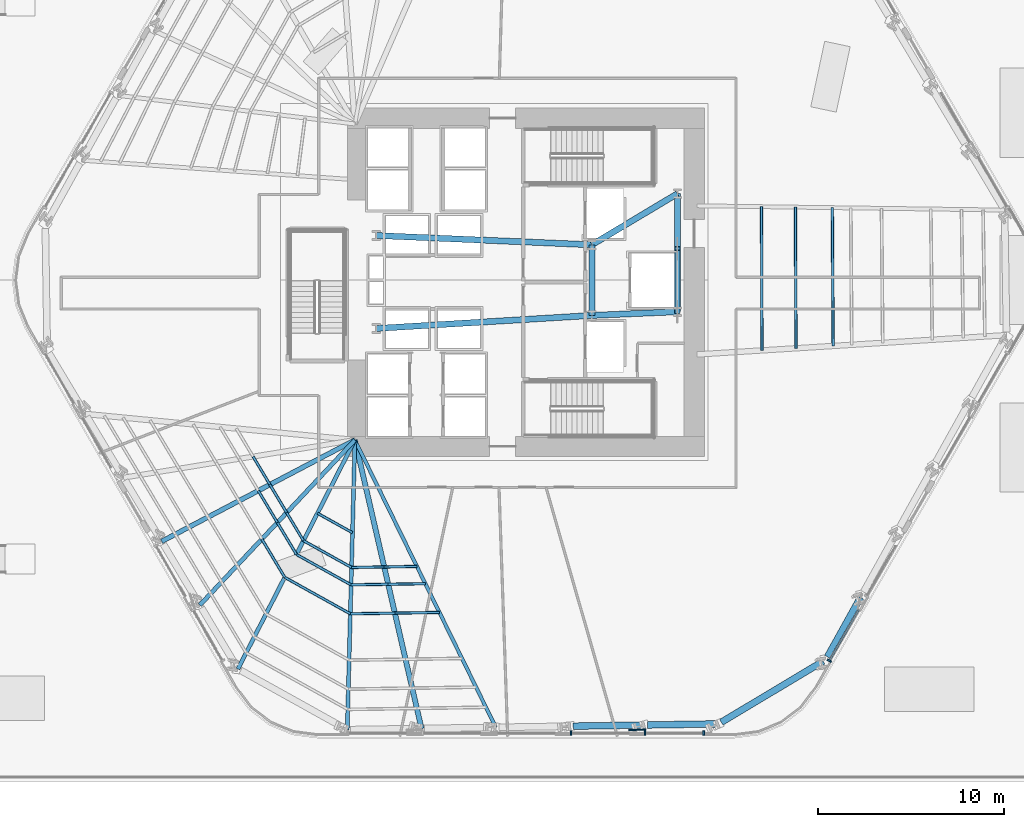
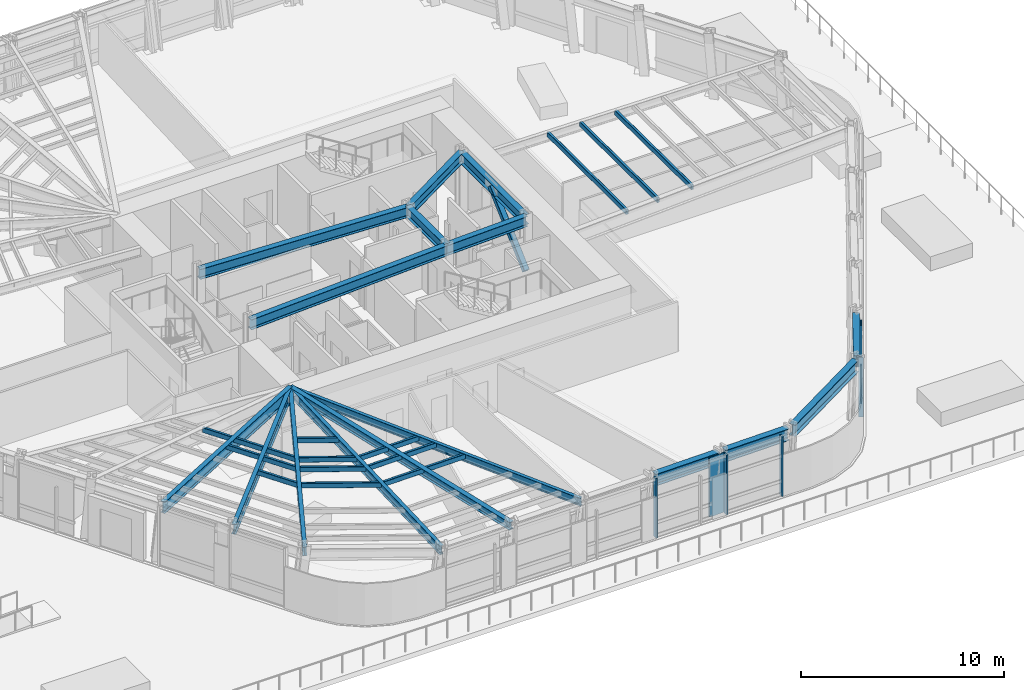
# One storey, part 3 of 18: 27 members, 16 beams, 2 elements without a shape of their own.
"""IFC4 building model written with IfcOpenShell, lengths in metres."""

from ifc_helpers import new_model, si_unit, direction, frame, origin, origin_2d, place, context, subcontext, project, spatial, rectangle, hollow_rectangle, i_section, extrude, material, layer, layer_set, material_profile, profile_set, type_object, element, aggregate, save


model = new_model("IFC4")

# Units and contexts
model_context = context("Model", 3, precision=1e-05, world=origin(), true_north=direction((0.0, 1.0)))
body_context = subcontext(model_context, "Body", "Model", "MODEL_VIEW")
ifc_project = project(units=[si_unit("LENGTHUNIT", "METRE"), si_unit("AREAUNIT", "SQUARE_METRE"), si_unit("VOLUMEUNIT", "CUBIC_METRE"), si_unit("PLANEANGLEUNIT", "RADIAN"), si_unit("MASSUNIT", "GRAM", prefix="KILO")], contexts=[model_context])

# Site, building, storey
site_placement = place(None, origin())
site = spatial("IfcSite", under=ifc_project, at=site_placement, CompositionType="ELEMENT")
building_placement = place(site_placement, origin())
building = spatial("IfcBuilding", under=site, at=building_placement, Name="Valkerne Bourse Tower", CompositionType="ELEMENT")
storey_placement = place(building_placement, frame((0.0, 0.0, 24.0)))
storey = spatial("IfcBuildingStorey", under=building, at=storey_placement, Name="L05", CompositionType="ELEMENT", Elevation=24.0)

# Beams
ifc_material_1 = material(Name="Steel ASTM A992", Category="steel")
ifc_material_profile_1 = material_profile(ifc_material_1, i_section(OverallWidth=0.1904296875, OverallDepth=0.457275390625, WebThickness=0.009033203125, FlangeThickness=0.014404296875, FilletRadius=0.01513671875, at=origin_2d()), Name="W18X50")
ifc_profile_set_1 = profile_set([ifc_material_profile_1], Name="Steel ASTM A992")
beam_type_1 = type_object("IfcBeamType", Name="BM-W18X50", PredefinedType="JOIST", material=ifc_profile_set_1)
beam_1_placement = place(storey_placement, frame((45.1796875, 2.939453125, 3.351318359375), z_axis=(-0.44020115117, 0.897899185047, 0.0), x_axis=(-0.897899185047, -0.44020115117, 0.0)))
element("IfcBeam", 1, at=beam_1_placement, inside=storey, type_object=beam_type_1, Name="L05 Radial Composite Floor Beam 26", PredefinedType="JOIST", context=body_context, shape_type="SweptSolid", body=[
    extrude(i_section(OverallWidth=0.1904296875, OverallDepth=0.457275390625, WebThickness=0.009033203125, FlangeThickness=0.014404296875, FilletRadius=0.01513671875, at=origin_2d()), origin(), (0.0, 0.0, 1.0), 17.218505859375),
])
ifc_material_profile_2 = material_profile(ifc_material_1, i_section(OverallWidth=0.279296875, OverallDepth=0.46240234375, WebThickness=0.0107421875, FlangeThickness=0.017333984375, FilletRadius=0.017822265625, at=origin_2d()), Name="W18X76")
ifc_profile_set_2 = profile_set([ifc_material_profile_2], Name="Steel ASTM A992")
beam_type_2 = type_object("IfcBeamType", Name="BM-W18X76", PredefinedType="BEAM", material=ifc_profile_set_2)
beam_2_placement = place(storey_placement, frame((41.18408203125, 2.876708984375, 3.348876953125), z_axis=(-0.224961352086, 0.974367687307, 0.0), x_axis=(-0.974367687307, -0.224961352086, 0.0)))
element("IfcBeam", 2, at=beam_2_placement, inside=storey, type_object=beam_type_2, Name="L05 Radial Composite Floor Beam 25", PredefinedType="BEAM", context=body_context, shape_type="SweptSolid", body=[
    extrude(i_section(OverallWidth=0.279296875, OverallDepth=0.46240234375, WebThickness=0.0107421875, FlangeThickness=0.017333984375, FilletRadius=0.017822265625, at=origin_2d()), origin(), (0.0, 0.0, 1.0), 15.931640625),
])
ifc_material_profile_3 = material_profile(ifc_material_1, i_section(OverallWidth=0.209228515625, OverallDepth=0.533447265625, WebThickness=0.01025390625, FlangeThickness=0.015625, FilletRadius=0.017822265625, at=origin_2d()), Name="W21X62")
ifc_profile_set_3 = profile_set([ifc_material_profile_3], Name="Steel ASTM A992")
beam_type_3 = type_object("IfcBeamType", Name="BM-W21X62", PredefinedType="JOIST", material=ifc_profile_set_3)
beam_3_placement = place(storey_placement, frame((37.188720703125, 2.813720703125, 3.313232421875), z_axis=(0.026384508357, 0.999651868262, 0.0), x_axis=(-0.999651868262, 0.026384508357, 0.0)))
element("IfcBeam", 3, at=beam_3_placement, inside=storey, type_object=beam_type_3, Name="L05 Radial Composite Floor Beam 24", PredefinedType="JOIST", context=body_context, shape_type="SweptSolid", body=[
    extrude(i_section(OverallWidth=0.209228515625, OverallDepth=0.533447265625, WebThickness=0.01025390625, FlangeThickness=0.015625, FilletRadius=0.017822265625, at=origin_2d()), origin(), (0.0, 0.0, 1.0), 15.591552734375),
])
ifc_material_profile_4 = material_profile(ifc_material_1, i_section(OverallWidth=0.2138671875, OverallDepth=0.548583984375, WebThickness=0.0146484375, FlangeThickness=0.023681640625, FilletRadius=0.017822265625, at=origin_2d()), Name="W21X93")
ifc_profile_set_4 = profile_set([ifc_material_profile_4], Name="Steel ASTM A992")
beam_type_4 = type_object("IfcBeamType", Name="BM-W21X93", PredefinedType="BEAM", material=ifc_profile_set_4)
beam_4_placement = place(storey_placement, frame((31.30908203125, 6.08642578125, 3.3056640625), z_axis=(0.454965462483, 0.890509083585, 0.0), x_axis=(-0.890509083585, 0.454965462483, 0.0)))
element("IfcBeam", 4, at=beam_4_placement, inside=storey, type_object=beam_type_4, Name="L05 Radial Composite Floor Beam 23", PredefinedType="BEAM", context=body_context, shape_type="SweptSolid", body=[
    extrude(i_section(OverallWidth=0.2138671875, OverallDepth=0.548583984375, WebThickness=0.0146484375, FlangeThickness=0.023681640625, FilletRadius=0.017822265625, at=origin_2d()), origin(), (0.0, 0.0, 1.0), 13.827392578125),
])
ifc_material_profile_5 = material_profile(ifc_material_1, i_section(OverallWidth=0.3251953125, OverallDepth=0.612060546875, WebThickness=0.0126953125, FlangeThickness=0.01904296875, FilletRadius=0.020263671875, at=origin_2d()), Name="W24X104")
ifc_profile_set_5 = profile_set([ifc_material_profile_5], Name="Steel ASTM A992")
beam_type_5 = type_object("IfcBeamType", Name="BM-W24X104", PredefinedType="BEAM", material=ifc_profile_set_5)
beam_5_placement = place(storey_placement, frame((50.35009765625, 25.10009765625, 3.27392578125), z_axis=(0.0, 1.0, 0.0), x_axis=(-1.0, 0.0, 0.0)))
element("IfcBeam", 5, at=beam_5_placement, inside=storey, type_object=beam_type_5, Name="L05 Core Frame Girder CG-CE", PredefinedType="BEAM", context=body_context, shape_type="SweptSolid", body=[
    extrude(i_section(OverallWidth=0.3251953125, OverallDepth=0.612060546875, WebThickness=0.0126953125, FlangeThickness=0.01904296875, FilletRadius=0.020263671875, at=origin_2d()), origin(), (0.0, 0.0, 1.0), 3.7998046875),
])
beam_6_placement = place(storey_placement, frame((50.35009765625, 25.10009765625, 3.27392578125), z_axis=(0.999056558506, 0.043428019819, 0.0), x_axis=(-0.043428019819, 0.999056558506, 0.0)))
element("IfcBeam", 6, at=beam_6_placement, inside=storey, type_object=beam_type_5, Name="L05 Core Frame Girder CG-SE", PredefinedType="BEAM", context=body_context, shape_type="SweptSolid", body=[
    extrude(i_section(OverallWidth=0.3251953125, OverallDepth=0.612060546875, WebThickness=0.0126953125, FlangeThickness=0.01904296875, FilletRadius=0.020263671875, at=origin_2d()), origin(), (0.0, 0.0, 1.0), 4.604248046875),
])
beam_7_placement = place(storey_placement, frame((50.35009765625, 28.89990234375, 3.27392578125), z_axis=(0.858307823492, 0.513135148019, 0.0), x_axis=(-0.513135148019, 0.858307823492, 0.0)))
element("IfcBeam", 7, at=beam_7_placement, inside=storey, type_object=beam_type_5, Name="L05 Core Frame Girder CG-NE", PredefinedType="BEAM", context=body_context, shape_type="SweptSolid", body=[
    extrude(i_section(OverallWidth=0.3251953125, OverallDepth=0.612060546875, WebThickness=0.0126953125, FlangeThickness=0.01904296875, FilletRadius=0.020263671875, at=origin_2d()), origin(), (0.0, 0.0, 1.0), 5.359130859375),
])
beam_8_placement = place(storey_placement, frame((54.949951171875, 25.300048828125, 3.27392578125), z_axis=(0.0, 1.0, 0.0), x_axis=(-1.0, 0.0, 0.0)))
element("IfcBeam", 8, at=beam_8_placement, inside=storey, type_object=beam_type_5, Name="L05 Core Frame Girder CG-EE", PredefinedType="BEAM", context=body_context, shape_type="SweptSolid", body=[
    extrude(i_section(OverallWidth=0.3251953125, OverallDepth=0.612060546875, WebThickness=0.0126953125, FlangeThickness=0.01904296875, FilletRadius=0.020263671875, at=origin_2d()), origin(), (0.0, 0.0, 1.0), 6.349853515625),
])
beam_9_placement = place(storey_placement, frame((38.75, 24.39990234375, 3.27392578125), z_axis=(0.998183228389, 0.060251494276, 0.0), x_axis=(-0.060251494276, 0.998183228389, 0.0)))
element("IfcBeam", 9, at=beam_9_placement, inside=storey, type_object=beam_type_5, Name="L05 Core Frame Girder CG-SW", PredefinedType="BEAM", context=body_context, shape_type="SweptSolid", body=[
    extrude(i_section(OverallWidth=0.3251953125, OverallDepth=0.612060546875, WebThickness=0.0126953125, FlangeThickness=0.01904296875, FilletRadius=0.020263671875, at=origin_2d()), origin(), (0.0, 0.0, 1.0), 11.62109375),
])
beam_10_placement = place(storey_placement, frame((38.75, 29.39990234375, 3.27392578125), z_axis=(0.999072354402, -0.043063101019, 0.0), x_axis=(0.043063101019, 0.999072354402, 0.0)))
element("IfcBeam", 10, at=beam_10_placement, inside=storey, type_object=beam_type_5, Name="L05 Core Frame Girder CG-NW", PredefinedType="BEAM", context=body_context, shape_type="SweptSolid", body=[
    extrude(i_section(OverallWidth=0.3251953125, OverallDepth=0.612060546875, WebThickness=0.0126953125, FlangeThickness=0.01904296875, FilletRadius=0.020263671875, at=origin_2d()), origin(), (0.0, 0.0, 1.0), 11.61083984375),
])
ifc_material_profile_6 = material_profile(ifc_material_1, i_section(OverallWidth=0.228271484375, OverallDepth=0.607177734375, WebThickness=0.01123046875, FlangeThickness=0.017333984375, FilletRadius=0.017822265625, at=origin_2d()), Name="W24X76")
ifc_profile_set_6 = profile_set([ifc_material_profile_6], Name="Steel ASTM A992")
beam_type_6 = type_object("IfcBeamType", Name="BM-W24X76", PredefinedType="JOIST", material=ifc_profile_set_6)
beam_11_placement = place(storey_placement, frame((29.257080078125, 9.51513671875, 3.2763671875), z_axis=(0.684532600294, 0.728982248848, 0.0), x_axis=(-0.728982248848, 0.684532600294, 0.0)))
element("IfcBeam", 11, at=beam_11_placement, inside=storey, type_object=beam_type_6, Name="L05 Radial Composite Floor Beam 22", PredefinedType="JOIST", context=body_context, shape_type="SweptSolid", body=[
    extrude(i_section(OverallWidth=0.228271484375, OverallDepth=0.607177734375, WebThickness=0.01123046875, FlangeThickness=0.017333984375, FilletRadius=0.017822265625, at=origin_2d()), origin(), (0.0, 0.0, 1.0), 12.18798828125),
])
ifc_material_profile_7 = material_profile(ifc_material_1, i_section(OverallWidth=0.255859375, OverallDepth=0.693359375, WebThickness=0.014404296875, FlangeThickness=0.023681640625, FilletRadius=0.02294921875, at=origin_2d()), Name="W27X114")
ifc_profile_set_7 = profile_set([ifc_material_profile_7], Name="Steel ASTM A992")
beam_type_7 = type_object("IfcBeamType", Name="BM-W27X114", PredefinedType="BEAM", material=ifc_profile_set_7)
beam_12_placement = place(storey_placement, frame((27.204833984375, 12.944091796875, 3.2333984375), z_axis=(0.885457592577, 0.464720186508, 0.0), x_axis=(-0.464720186508, 0.885457592577, 0.0)))
element("IfcBeam", 12, at=beam_12_placement, inside=storey, type_object=beam_type_7, Name="L05 Radial Composite Floor Beam 21", PredefinedType="BEAM", context=body_context, shape_type="SweptSolid", body=[
    extrude(i_section(OverallWidth=0.255859375, OverallDepth=0.693359375, WebThickness=0.014404296875, FlangeThickness=0.023681640625, FilletRadius=0.02294921875, at=origin_2d()), origin(), (0.0, 0.0, 1.0), 11.739990234375),
])
ifc_material_profile_8 = material_profile(ifc_material_1, i_section(OverallWidth=0.358154296875, OverallDepth=0.7060546875, WebThickness=0.018310546875, FlangeThickness=0.0302734375, FilletRadius=0.02294921875, at=origin_2d()), Name="W27X178")
ifc_profile_set_8 = profile_set([ifc_material_profile_8], Name="Steel ASTM A992")
beam_type_8 = type_object("IfcBeamType", Name="BM-W27X178", PredefinedType="SPANDREL", material=ifc_profile_set_8)
beam_13_placement = place(storey_placement, frame((49.34521484375, 3.0048828125, 3.226806640625), z_axis=(0.999876857532, 0.015692984807, 0.0), x_axis=(-0.015692984807, 0.999876857532, 0.0)))
element("IfcBeam", 13, at=beam_13_placement, inside=storey, type_object=beam_type_8, Name="L05 Hexagonal Spandrel Ring Beam 27", PredefinedType="SPANDREL", context=body_context, shape_type="SweptSolid", body=[
    extrude(i_section(OverallWidth=0.358154296875, OverallDepth=0.7060546875, WebThickness=0.018310546875, FlangeThickness=0.0302734375, FilletRadius=0.02294921875, at=origin_2d()), origin(), (0.0, 0.0, 1.0), 3.656005859375),
])
beam_14_placement = place(storey_placement, frame((53.3408203125, 3.067626953125, 3.226806640625), z_axis=(0.999876841085, 0.015694032705, 0.0), x_axis=(-0.015694032705, 0.999876841085, 0.0)))
element("IfcBeam", 14, at=beam_14_placement, inside=storey, type_object=beam_type_8, Name="L05 Hexagonal Spandrel Ring Beam 28", PredefinedType="SPANDREL", context=body_context, shape_type="SweptSolid", body=[
    extrude(i_section(OverallWidth=0.358154296875, OverallDepth=0.7060546875, WebThickness=0.018310546875, FlangeThickness=0.0302734375, FilletRadius=0.02294921875, at=origin_2d()), origin(), (0.0, 0.0, 1.0), 3.65576171875),
])
beam_15_placement = place(storey_placement, frame((57.31201171875, 3.215087890625, 3.226806640625), z_axis=(0.858065583665, 0.513540119299, 0.0), x_axis=(-0.513540119299, 0.858065583665, 0.0)))
element("IfcBeam", 15, at=beam_15_placement, inside=storey, type_object=beam_type_8, Name="L05 Hexagonal Spandrel Ring Beam 29", PredefinedType="SPANDREL", context=body_context, shape_type="SweptSolid", body=[
    extrude(i_section(OverallWidth=0.358154296875, OverallDepth=0.7060546875, WebThickness=0.018310546875, FlangeThickness=0.0302734375, FilletRadius=0.02294921875, at=origin_2d()), origin(), (0.0, 0.0, 1.0), 6.388916015625),
])
beam_16_placement = place(storey_placement, frame((63.02294921875, 6.731689453125, 3.226806640625), z_axis=(0.486255125656, 0.873816887439, 0.0), x_axis=(-0.873816887439, 0.486255125656, 0.0)))
element("IfcBeam", 16, at=beam_16_placement, inside=storey, type_object=beam_type_8, Name="L05 Hexagonal Spandrel Ring Beam 30", PredefinedType="SPANDREL", context=body_context, shape_type="SweptSolid", body=[
    extrude(i_section(OverallWidth=0.358154296875, OverallDepth=0.7060546875, WebThickness=0.018310546875, FlangeThickness=0.0302734375, FilletRadius=0.02294921875, at=origin_2d()), origin(), (0.0, 0.0, 1.0), 3.65625),
])

# Curtain wall, members
ifc_material_2 = material(Name="Aluminium AA 6063-T6", Category="aluminium")
ifc_layer = layer(ifc_material_2, 0.22509765625)
ifc_layer_set = layer_set([ifc_layer], Name="Aluminium AA 6063-T6")
curtain_wall_type = type_object("IfcCurtainWallType", Name="CW-01", PredefinedType="NOTDEFINED", material=ifc_layer_set)
curtain_wall_1_placement = place(storey_placement, origin())
curtain_wall_1 = element("IfcCurtainWall", 17, at=curtain_wall_1_placement, inside=storey, type_object=curtain_wall_type, Name="L05 Hexagonal Stick Curtain Wall Face 5", PredefinedType="NOTDEFINED")
ifc_material_profile_9 = material_profile(ifc_material_2, rectangle(XDim=0.090087890625, YDim=0.239990234375, at=origin_2d()), Name="CWM-90X240")
ifc_profile_set_9 = profile_set([ifc_material_profile_9], Name="Aluminium AA 6063-T6")
member_type_1 = type_object("IfcMemberType", Name="CW-MUL-240X90", PredefinedType="MULLION", material=ifc_profile_set_9)
member_1_placement = place(storey_placement, frame((49.218017578125, 2.627685546875, 0.0), z_axis=(0.0, 0.0, 1.0), x_axis=(1.0, 0.0, 0.0)))
member_1 = element("IfcMember", 18, at=member_1_placement, type_object=member_type_1, Name="CW-L05-F5 Jamb Mullion 03A", PredefinedType="MULLION", context=body_context, shape_type="SweptSolid", body=[
    extrude(rectangle(XDim=0.090087890625, YDim=0.239990234375, at=origin_2d()), origin(), (0.0, 0.0, 1.0), 3.580078125),
])
member_2_placement = place(storey_placement, frame((53.214111328125, 2.627685546875, 0.0), z_axis=(0.0, 0.0, 1.0), x_axis=(1.0, 0.0, 0.0)))
member_2 = element("IfcMember", 19, at=member_2_placement, type_object=member_type_1, Name="CW-L05-F5 Jamb Mullion 04A", PredefinedType="MULLION", context=body_context, shape_type="SweptSolid", body=[
    extrude(rectangle(XDim=0.090087890625, YDim=0.239990234375, at=origin_2d()), origin(), (0.0, 0.0, 1.0), 3.580078125),
])
member_3_placement = place(storey_placement, frame((56.3701171875, 2.627685546875, 0.0), z_axis=(0.0, 0.0, 1.0), x_axis=(1.0, 0.0, 0.0)))
member_3 = element("IfcMember", 20, at=member_3_placement, type_object=member_type_1, Name="CW-L05-F5 Jamb Mullion 04B", PredefinedType="MULLION", context=body_context, shape_type="SweptSolid", body=[
    extrude(rectangle(XDim=0.090087890625, YDim=0.239990234375, at=origin_2d()), origin(), (0.0, 0.0, 1.0), 3.580078125),
])
aggregate(curtain_wall_1, [member_1, member_2, member_3])

curtain_wall_2_placement = place(storey_placement, origin())
curtain_wall_2 = element("IfcCurtainWall", 21, at=curtain_wall_2_placement, inside=storey, type_object=curtain_wall_type, Name="L05 Hexagonal Stick Curtain Wall Face 6", PredefinedType="NOTDEFINED")
member_4_placement = place(storey_placement, frame((63.121826171875, 6.52587890625, 0.0), z_axis=(0.0, 0.0, 1.0), x_axis=(0.500004065051, 0.866023056813, 0.0)))
member_4 = element("IfcMember", 22, at=member_4_placement, type_object=member_type_1, Name="CW-L05-F6 Jamb Mullion 00A", PredefinedType="MULLION", context=body_context, shape_type="SweptSolid", body=[
    extrude(rectangle(XDim=0.090087890625, YDim=0.239990234375, at=origin_2d()), origin(), (0.0, 0.0, 1.0), 3.580078125),
])
ifc_material_profile_10 = material_profile(ifc_material_2, rectangle(XDim=0.090087890625, YDim=0.179931640625, at=origin_2d()), Name="CWT-90X180")
ifc_profile_set_10 = profile_set([ifc_material_profile_10], Name="Aluminium AA 6063-T6")
member_type_2 = type_object("IfcMemberType", Name="CW-TRN-180X90", PredefinedType="USERDEFINED", material=ifc_profile_set_10)
member_5_placement = place(storey_placement, frame((63.121826171875, 6.52587890625, 0.85009765625), z_axis=(0.499999210213, 0.866025859768, 0.0), x_axis=(-0.866025859768, 0.499999210213, 0.0)))
member_5 = element("IfcMember", 23, at=member_5_placement, type_object=member_type_2, Name="CW-L05-F6 Bay Transom 00-1", ObjectType="TRANSOM", PredefinedType="USERDEFINED", context=body_context, shape_type="SweptSolid", body=[
    extrude(rectangle(XDim=0.090087890625, YDim=0.179931640625, at=origin_2d()), origin(), (0.0, 0.0, 1.0), 3.15625),
])
member_6_placement = place(storey_placement, frame((63.121826171875, 6.52587890625, 3.5), z_axis=(0.499999210213, 0.866025859768, 0.0), x_axis=(-0.866025859768, 0.499999210213, 0.0)))
member_6 = element("IfcMember", 24, at=member_6_placement, type_object=member_type_2, Name="CW-L05-F6 Bay Transom 00-2", ObjectType="TRANSOM", PredefinedType="USERDEFINED", context=body_context, shape_type="SweptSolid", body=[
    extrude(rectangle(XDim=0.090087890625, YDim=0.179931640625, at=origin_2d()), origin(), (0.0, 0.0, 1.0), 3.15625),
])
aggregate(curtain_wall_2, [member_4, member_5, member_6])

# Members
ifc_material_3 = material(Name="Bronze Anodised Aluminium AA 6063-T6", Category="aluminium")
ifc_material_profile_11 = material_profile(ifc_material_3, rectangle(XDim=0.070068359375, YDim=0.89990234375, at=origin_2d()), Name="FIN-70X900")
ifc_profile_set_11 = profile_set([ifc_material_profile_11], Name="Bronze Anodised Aluminium AA 6063-T6")
member_type_3 = type_object("IfcMemberType", Name="FIN-SOLAR-900", PredefinedType="USERDEFINED", material=ifc_profile_set_11)
member_7_placement = place(storey_placement, frame((52.7939453125, 2.807861328125, 0.00390625), z_axis=(0.0, 0.0, 1.0), x_axis=(0.031888158654, -0.999491443354, 0.0)))
element("IfcMember", 25, at=member_7_placement, inside=storey, type_object=member_type_3, Name="L05 Bronze Anodised Solar Fin F5-04", ObjectType="SOLAR_FIN", PredefinedType="USERDEFINED", context=body_context, shape_type="SweptSolid", body=[
    extrude(rectangle(XDim=0.070068359375, YDim=0.89990234375, at=origin_2d()), origin(), (0.0, 0.0, 1.0), 3.572021484375),
])
ifc_material_4 = material(Name="Steel ASTM A500 Grade C", Category="steel")
ifc_material_profile_12 = material_profile(ifc_material_4, hollow_rectangle(XDim=0.14990234375, YDim=0.300048828125, WallThickness=0.012451171875, OuterFilletRadius=0.02490234375, at=origin_2d()), Name="HSS300X150X12.5")
ifc_profile_set_12 = profile_set([ifc_material_profile_12], Name="Steel ASTM A500 Grade C")
member_type_4 = type_object("IfcMemberType", Name="MBR-HSS300X150X12.5", PredefinedType="PURLIN", material=ifc_profile_set_12)
member_8_placement = place(storey_placement, frame((35.5869140625, 14.459716796875, 3.419921875), z_axis=(0.873755898783, -0.486364708159, 0.0), x_axis=(0.486364708159, 0.873755898783, 0.0)))
element("IfcMember", 26, at=member_8_placement, inside=storey, type_object=member_type_4, Name="L05 Secondary Composite Floor Purlin I-23", PredefinedType="PURLIN", context=body_context, shape_type="SweptSolid", body=[
    extrude(hollow_rectangle(XDim=0.14990234375, YDim=0.300048828125, WallThickness=0.012451171875, OuterFilletRadius=0.02490234375, at=origin_2d()), origin(), (0.0, 0.0, 1.0), 2.153564453125),
])
member_9_placement = place(storey_placement, frame((61.330322265625, 23.333251953125, 3.419921875), z_axis=(-0.004469265033, 0.999990012785, 0.0), x_axis=(-0.999990012785, -0.004469265033, 0.0)))
element("IfcMember", 27, at=member_9_placement, inside=storey, type_object=member_type_4, Name="L05 Secondary Composite Floor Purlin I-35", PredefinedType="PURLIN", context=body_context, shape_type="SweptSolid", body=[
    extrude(hollow_rectangle(XDim=0.14990234375, YDim=0.300048828125, WallThickness=0.012451171875, OuterFilletRadius=0.02490234375, at=origin_2d()), origin(), (0.0, 0.0, 1.0), 7.593017578125),
])
member_10_placement = place(storey_placement, frame((32.123291015625, 17.508056640625, 3.419921875), z_axis=(0.513535606917, -0.858068284246, 0.0), x_axis=(0.858068284246, 0.513535606917, 0.0)))
element("IfcMember", 28, at=member_10_placement, inside=storey, type_object=member_type_4, Name="L05 Secondary Composite Floor Purlin K-20", PredefinedType="PURLIN", context=body_context, shape_type="SweptSolid", body=[
    extrude(hollow_rectangle(XDim=0.14990234375, YDim=0.300048828125, WallThickness=0.012451171875, OuterFilletRadius=0.02490234375, at=origin_2d()), origin(), (0.0, 0.0, 1.0), 1.758056640625),
])
for number, where, z_axis, x_axis, name in (
    (29, (33.026123046875, 15.99951171875, 3.419921875), (0.513576652553, -0.858043717972, 0.0), (0.858043717972, 0.513576652553, 0.0), "L05 Secondary Composite Floor Purlin K-21"),
    (30, (33.92919921875, 14.49072265625, 3.419921875), (0.513474420703, -0.85810489993, 0.0), (0.85810489993, 0.513474420703, 0.0), "L05 Secondary Composite Floor Purlin K-22"),
):
    element("IfcMember", number, at=place(storey_placement, frame(where, z_axis=z_axis, x_axis=x_axis)), inside=storey, type_object=member_type_4, Name=name, PredefinedType="PURLIN", context=body_context, shape_type="SweptSolid", body=[
        extrude(hollow_rectangle(XDim=0.14990234375, YDim=0.300048828125, WallThickness=0.012451171875, OuterFilletRadius=0.02490234375, at=origin_2d()), origin(), (0.0, 0.0, 1.0), 1.75830078125),
    ])
member_11_placement = place(storey_placement, frame((34.83203125, 12.98193359375, 3.419921875), z_axis=(0.873760236508, -0.486356915338, 0.0), x_axis=(0.486356915338, 0.873760236508, 0.0)))
element("IfcMember", 31, at=member_11_placement, inside=storey, type_object=member_type_4, Name="L05 Secondary Composite Floor Purlin K-23", PredefinedType="PURLIN", context=body_context, shape_type="SweptSolid", body=[
    extrude(hollow_rectangle(XDim=0.14990234375, YDim=0.300048828125, WallThickness=0.012451171875, OuterFilletRadius=0.02490234375, at=origin_2d()), origin(), (0.0, 0.0, 1.0), 2.960693359375),
])
for number, where, z_axis, x_axis, name in (
    (32, (37.4189453125, 11.5419921875, 3.419921875), (0.999876899145, 0.015690333232, 0.0), (-0.015690333232, 0.999876899145, 0.0), "L05 Secondary Composite Floor Purlin K-24"),
    (33, (39.177001953125, 11.569580078125, 3.419921875), (0.999874711139, 0.0158291511, 0.0), (-0.0158291511, 0.999874711139, 0.0), "L05 Secondary Composite Floor Purlin K-25"),
):
    element("IfcMember", number, at=place(storey_placement, frame(where, z_axis=z_axis, x_axis=x_axis)), inside=storey, type_object=member_type_4, Name=name, PredefinedType="PURLIN", context=body_context, shape_type="SweptSolid", body=[
        extrude(hollow_rectangle(XDim=0.14990234375, YDim=0.300048828125, WallThickness=0.012451171875, OuterFilletRadius=0.02490234375, at=origin_2d()), origin(), (0.0, 0.0, 1.0), 1.75830078125),
    ])
member_12_placement = place(storey_placement, frame((63.3291015625, 23.458251953125, 3.419921875), z_axis=(-0.006234292809, 0.999980566608, 0.0), x_axis=(-0.999980566608, -0.006234292809, 0.0)))
element("IfcMember", 34, at=member_12_placement, inside=storey, type_object=member_type_4, Name="L05 Secondary Composite Floor Purlin K-35", PredefinedType="PURLIN", context=body_context, shape_type="SweptSolid", body=[
    extrude(hollow_rectangle(XDim=0.14990234375, YDim=0.300048828125, WallThickness=0.012451171875, OuterFilletRadius=0.02490234375, at=origin_2d()), origin(), (0.0, 0.0, 1.0), 7.440673828125),
])
for number, where, z_axis, x_axis, name in (
    (35, (32.402587890625, 15.672119140625, 3.419921875), (0.513435199093, -0.858128368213, 0.0), (0.858128368213, 0.513435199093, 0.0), "L05 Secondary Composite Floor Purlin M-21"),
    (36, (33.428466796875, 13.95751953125, 3.419921875), (0.51357901082, -0.858042306443, 0.0), (0.858042306443, 0.51357901082, 0.0), "L05 Secondary Composite Floor Purlin M-22"),
):
    element("IfcMember", number, at=place(storey_placement, frame(where, z_axis=z_axis, x_axis=x_axis)), inside=storey, type_object=member_type_4, Name=name, PredefinedType="PURLIN", context=body_context, shape_type="SweptSolid", body=[
        extrude(hollow_rectangle(XDim=0.14990234375, YDim=0.300048828125, WallThickness=0.012451171875, OuterFilletRadius=0.02490234375, at=origin_2d()), origin(), (0.0, 0.0, 1.0), 1.998046875),
    ])
member_13_placement = place(storey_placement, frame((34.45458984375, 12.2431640625, 3.419921875), z_axis=(0.873770207066, -0.486339002388, 0.0), x_axis=(0.486339002388, 0.873770207066, 0.0)))
element("IfcMember", 37, at=member_13_placement, inside=storey, type_object=member_type_4, Name="L05 Secondary Composite Floor Purlin M-23", PredefinedType="PURLIN", context=body_context, shape_type="SweptSolid", body=[
    extrude(hollow_rectangle(XDim=0.14990234375, YDim=0.300048828125, WallThickness=0.012451171875, OuterFilletRadius=0.02490234375, at=origin_2d()), origin(), (0.0, 0.0, 1.0), 3.364501953125),
])
for number, where, z_axis, x_axis, name in (
    (38, (37.394287109375, 10.60693359375, 3.419921875), (0.99987768347, 0.01564027172, 0.0), (-0.01564027172, 0.99987768347, 0.0), "L05 Secondary Composite Floor Purlin M-24"),
    (39, (39.39208984375, 10.63818359375, 3.419921875), (0.999875765166, 0.015762431102, 0.0), (-0.015762431102, 0.999875765166, 0.0), "L05 Secondary Composite Floor Purlin M-25"),
):
    element("IfcMember", number, at=place(storey_placement, frame(where, z_axis=z_axis, x_axis=x_axis)), inside=storey, type_object=member_type_4, Name=name, PredefinedType="PURLIN", context=body_context, shape_type="SweptSolid", body=[
        extrude(hollow_rectangle(XDim=0.14990234375, YDim=0.300048828125, WallThickness=0.012451171875, OuterFilletRadius=0.02490234375, at=origin_2d()), origin(), (0.0, 0.0, 1.0), 1.998046875),
    ])
member_14_placement = place(storey_placement, frame((32.59423828125, 13.069091796875, 3.419921875), z_axis=(0.513507105246, -0.858085341246, 0.0), x_axis=(0.858085341246, 0.513507105246, 0.0)))
element("IfcMember", 40, at=member_14_placement, inside=storey, type_object=member_type_4, Name="L05 Secondary Composite Floor Purlin Z-22", PredefinedType="PURLIN", context=body_context, shape_type="SweptSolid", body=[
    extrude(hollow_rectangle(XDim=0.14990234375, YDim=0.300048828125, WallThickness=0.012451171875, OuterFilletRadius=0.02490234375, at=origin_2d()), origin(), (0.0, 0.0, 1.0), 2.397705078125),
])
member_15_placement = place(storey_placement, frame((33.825439453125, 11.01171875, 3.419921875), z_axis=(0.873791927024, -0.486299977656, 0.0), x_axis=(0.486299977656, 0.873791927024, 0.0)))
element("IfcMember", 41, at=member_15_placement, inside=storey, type_object=member_type_4, Name="L05 Secondary Composite Floor Purlin Z-23", PredefinedType="PURLIN", context=body_context, shape_type="SweptSolid", body=[
    extrude(hollow_rectangle(XDim=0.14990234375, YDim=0.300048828125, WallThickness=0.012451171875, OuterFilletRadius=0.02490234375, at=origin_2d()), origin(), (0.0, 0.0, 1.0), 4.037353515625),
])
for number, where, z_axis, x_axis, name in (
    (42, (37.353271484375, 9.04833984375, 3.419921875), (0.999877030668, 0.015681949559, 0.0), (-0.015681949559, 0.999877030668, 0.0), "L05 Secondary Composite Floor Purlin Z-24"),
    (43, (39.75048828125, 9.0859375, 3.419921875), (0.999877030668, 0.015681949559, 0.0), (-0.015681949559, 0.999877030668, 0.0), "L05 Secondary Composite Floor Purlin Z-25"),
):
    element("IfcMember", number, at=place(storey_placement, frame(where, z_axis=z_axis, x_axis=x_axis)), inside=storey, type_object=member_type_4, Name=name, PredefinedType="PURLIN", context=body_context, shape_type="SweptSolid", body=[
        extrude(hollow_rectangle(XDim=0.14990234375, YDim=0.300048828125, WallThickness=0.012451171875, OuterFilletRadius=0.02490234375, at=origin_2d()), origin(), (0.0, 0.0, 1.0), 2.3974609375),
    ])
member_16_placement = place(storey_placement, frame((59.498046875, 23.21875, 3.419921875), z_axis=(-0.002873007023, 0.999995872907, 0.0), x_axis=(-0.999995872907, -0.002873007023, 0.0)))
element("IfcMember", 44, at=member_16_placement, inside=storey, type_object=member_type_4, Name="L05 Secondary Composite Floor Purlin S-35", PredefinedType="PURLIN", context=body_context, shape_type="SweptSolid", body=[
    extrude(hollow_rectangle(XDim=0.14990234375, YDim=0.300048828125, WallThickness=0.012451171875, OuterFilletRadius=0.02490234375, at=origin_2d()), origin(), (0.0, 0.0, 1.0), 7.73291015625),
])
ifc_material_profile_13 = material_profile(ifc_material_4, hollow_rectangle(XDim=0.300048828125, YDim=0.300048828125, WallThickness=0.012451171875, OuterFilletRadius=0.02490234375, at=origin_2d()), Name="HSS300X300X12.5")
ifc_profile_set_13 = profile_set([ifc_material_profile_13], Name="Steel ASTM A500 Grade C")
member_type_5 = type_object("IfcMemberType", Name="MBR-HSS300X300X12.5", PredefinedType="STRUT", material=ifc_profile_set_13)
member_17_placement = place(storey_placement, frame((54.949951171875, 25.300048828125, 0.219970703125), z_axis=(0.0, 0.743941933778, 0.668244266094), x_axis=(-1.0, 0.0, 0.0)))
element("IfcMember", 45, at=member_17_placement, inside=storey, type_object=member_type_5, Name="L05 Core Service Pier Lateral Brace", PredefinedType="STRUT", context=body_context, shape_type="SweptSolid", body=[
    extrude(hollow_rectangle(XDim=0.300048828125, YDim=0.300048828125, WallThickness=0.012451171875, OuterFilletRadius=0.02490234375, at=origin_2d()), origin(), (0.0, 0.0, 1.0), 4.570068359375),
])

save(model, "model.ifc")
